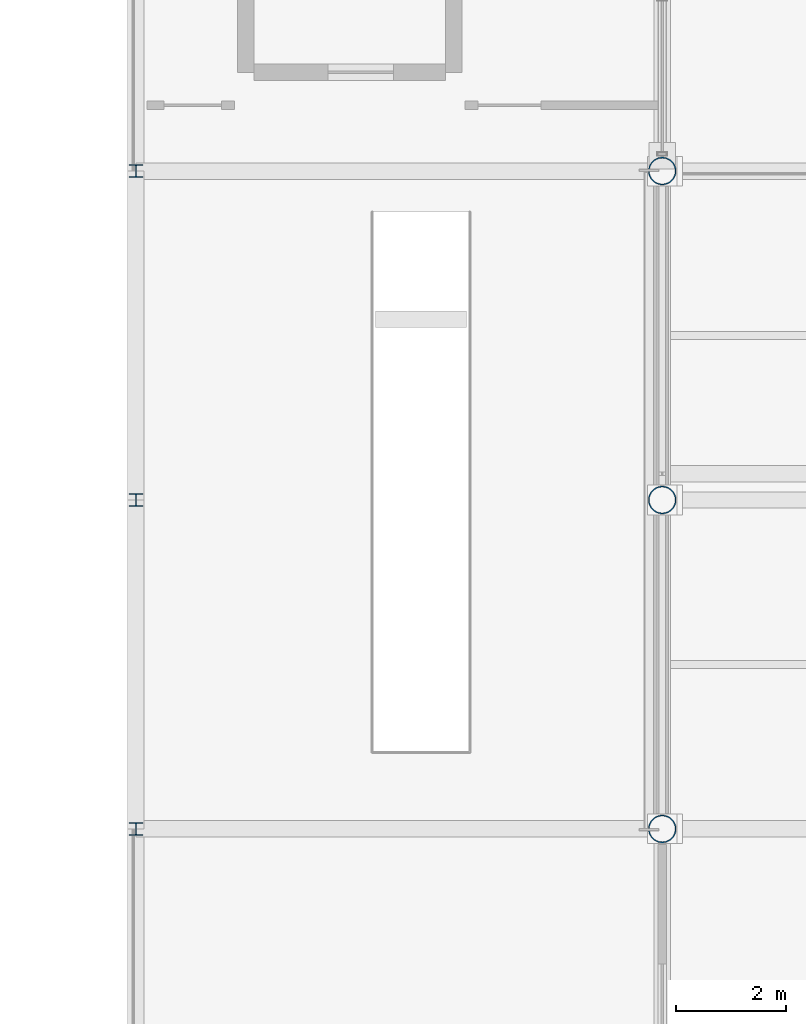
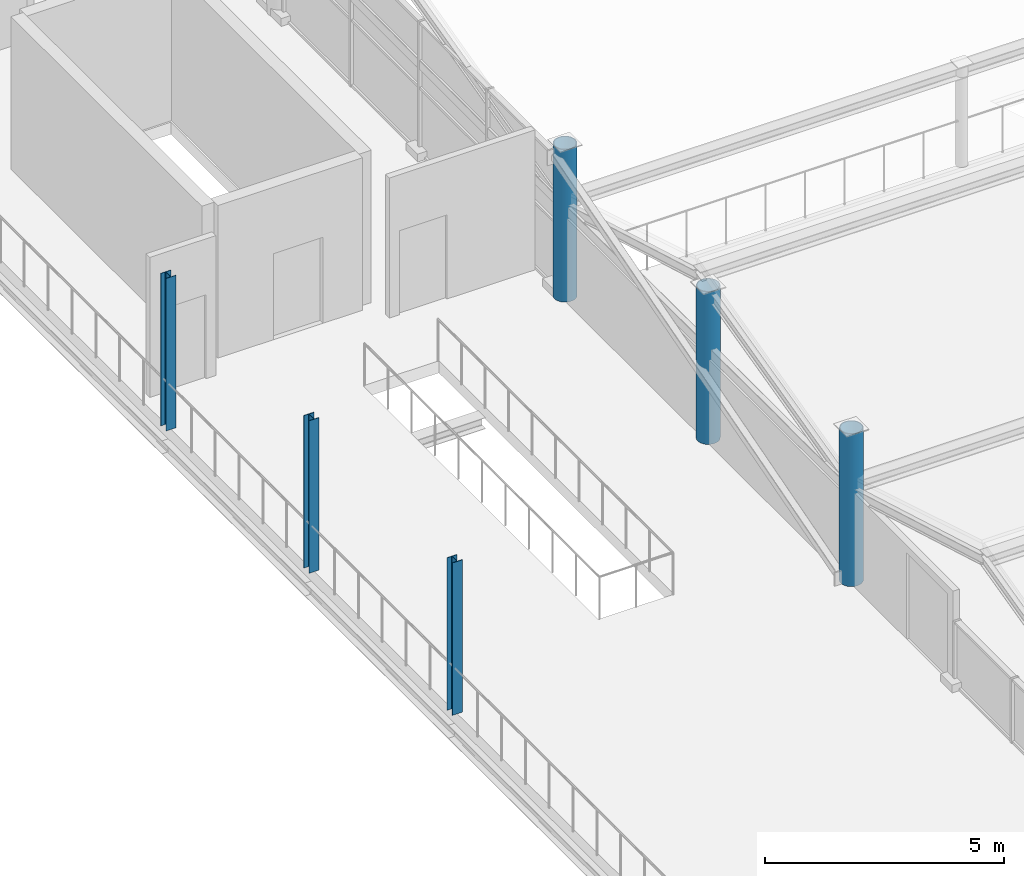
# One storey, part 5 of 117: 6 columns.
"""IFC4 building model written with IfcOpenShell, lengths in metres."""

from ifc_helpers import new_model, si_unit, direction, frame, origin, origin_2d, place, context, subcontext, project, spatial, hollow_circle, i_section, extrude, material, material_profile, profile_set, type_object, element, save


model = new_model("IFC4")

# Units and contexts
model_context = context("Model", 3, precision=1e-05, world=origin(), true_north=direction((0.0, 1.0)))
body_context = subcontext(model_context, "Body", "Model", "MODEL_VIEW")
ifc_project = project(units=[si_unit("LENGTHUNIT", "METRE"), si_unit("AREAUNIT", "SQUARE_METRE"), si_unit("VOLUMEUNIT", "CUBIC_METRE"), si_unit("PLANEANGLEUNIT", "RADIAN"), si_unit("MASSUNIT", "GRAM", prefix="KILO")], contexts=[model_context])

# Site, building, storey
site_placement = place(None, origin())
site = spatial("IfcSite", under=ifc_project, at=site_placement, CompositionType="ELEMENT")
building_placement = place(site_placement, origin())
building = spatial("IfcBuilding", under=site, at=building_placement, Name="Merenkruunu Market Hall", CompositionType="ELEMENT")
storey_placement = place(building_placement, frame((0.0, 0.0, 10.199951171875)))
storey = spatial("IfcBuildingStorey", under=building, at=storey_placement, Name="L02", CompositionType="ELEMENT", Elevation=10.199951171875)

# Columns
ifc_material_1 = material(Name="Steel S355J2", Category="steel")
ifc_material_profile_1 = material_profile(ifc_material_1, i_section(OverallWidth=0.239990234375, OverallDepth=0.22998046875, WebThickness=0.007568359375, FlangeThickness=0.011962890625, FilletRadius=0.02099609375, at=origin_2d()), Name="HEA 240")
ifc_profile_set_1 = profile_set([ifc_material_profile_1], Name="Steel S355J2")
column_type_1 = type_object("IfcColumnType", Name="Structural Column C10", PredefinedType="COLUMN", material=ifc_profile_set_1)
for number, where, z_axis, x_axis, name in (
    (1, (48.0, 39.60009765625, 0.0), (0.0, 0.0, 1.0), (1.0, 0.0, 0.0), "COL-L02-F-05"),
    (2, (48.0, 45.60009765625, 0.0), (0.0, 0.0, 1.0), (1.0, 0.0, 0.0), "COL-L02-F-06"),
    (3, (48.0, 51.60009765625, 0.0), (0.0, 0.0, 1.0), (1.0, 0.0, 0.0), "COL-L02-F-07"),
):
    element("IfcColumn", number, at=place(storey_placement, frame(where, z_axis=z_axis, x_axis=x_axis)), inside=storey, type_object=column_type_1, Name=name, PredefinedType="COLUMN", context=body_context, shape_type="SweptSolid", body=[
        extrude(i_section(OverallWidth=0.239990234375, OverallDepth=0.22998046875, WebThickness=0.007568359375, FlangeThickness=0.011962890625, FilletRadius=0.02099609375, at=origin_2d()), origin(), (0.0, 0.0, 1.0), 3.900146484375),
    ])
ifc_material_2 = material(Name="Steel S355ML", Category="steel")
ifc_material_profile_2 = material_profile(ifc_material_2, hollow_circle(Radius=0.25390625, WallThickness=0.02001953125, at=origin_2d()), Name="CHS 508x20")
ifc_profile_set_2 = profile_set([ifc_material_profile_2], Name="Steel S355ML")
column_type_2 = type_object("IfcColumnType", Name="Structural Column C11", PredefinedType="COLUMN", material=ifc_profile_set_2)
for number, where, z_axis, x_axis, name in (
    (4, (57.60009765625, 39.60009765625, 0.0), (0.0, 0.0, 1.0), (1.0, 0.0, 0.0), "COL-L02-G-05"),
    (5, (57.60009765625, 45.60009765625, 0.0), (0.0, 0.0, 1.0), (1.0, 0.0, 0.0), "COL-L02-G-06"),
    (6, (57.60009765625, 51.60009765625, 0.0), (0.0, 0.0, 1.0), (1.0, 0.0, 0.0), "COL-L02-G-07"),
):
    element("IfcColumn", number, at=place(storey_placement, frame(where, z_axis=z_axis, x_axis=x_axis)), inside=storey, type_object=column_type_2, Name=name, PredefinedType="COLUMN", context=body_context, shape_type="SweptSolid", body=[
        extrude(hollow_circle(Radius=0.25390625, WallThickness=0.02001953125, at=origin_2d()), origin(), (0.0, 0.0, 1.0), 3.900146484375),
    ])

save(model, "model.ifc")
